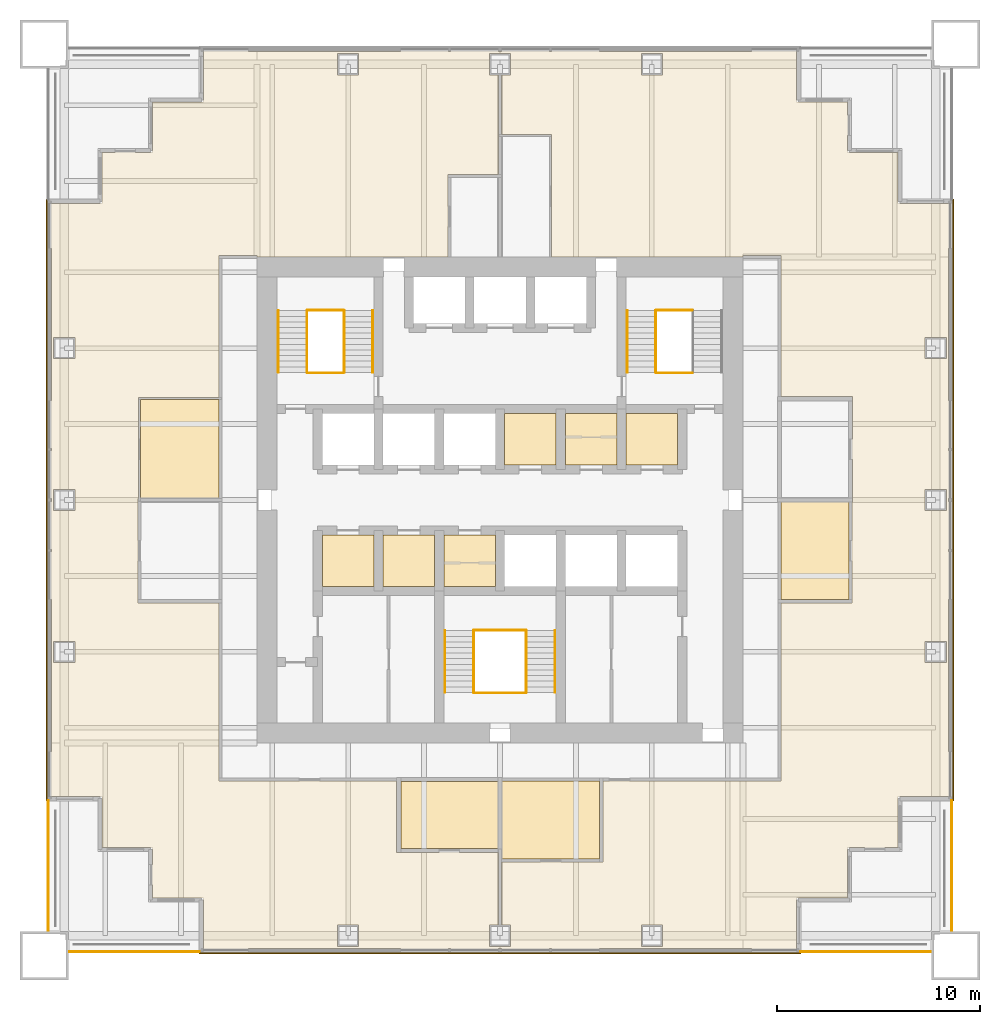
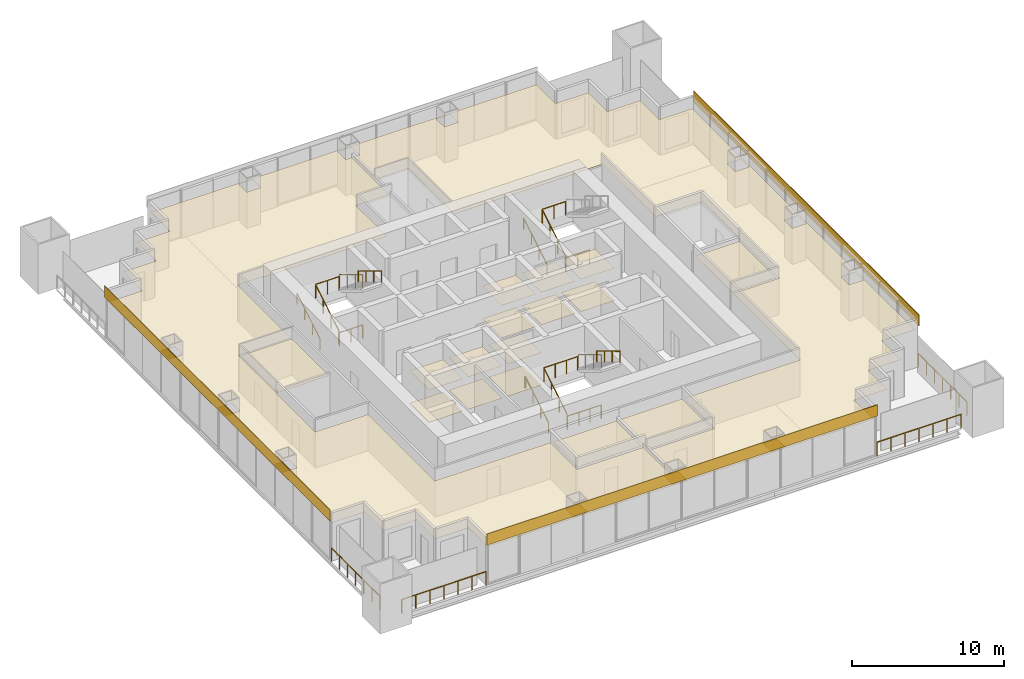
# One storey, part 12 of 13: 21 coverings, 20 railings.
"""IFC4 building model written with IfcOpenShell, lengths in metres."""

from ifc_helpers import new_model, si_unit, direction, frame, origin, origin_2d, place, context, subcontext, project, spatial, polyline, rectangle, circle, outline, extrude, material, layer, layer_set, type_object, element, save


model = new_model("IFC4")

# Units and contexts
model_context = context("Model", 3, precision=1e-05, world=origin(), true_north=direction((0.0, 1.0)))
body_context = subcontext(model_context, "Body", "Model", "MODEL_VIEW")
ifc_project = project(units=[si_unit("LENGTHUNIT", "METRE"), si_unit("AREAUNIT", "SQUARE_METRE"), si_unit("VOLUMEUNIT", "CUBIC_METRE"), si_unit("PLANEANGLEUNIT", "RADIAN"), si_unit("MASSUNIT", "GRAM", prefix="KILO")], contexts=[model_context])

# Site, building, storey
site_placement = place(None, origin())
site = spatial("IfcSite", under=ifc_project, at=site_placement, CompositionType="ELEMENT")
building_placement = place(site_placement, origin())
building = spatial("IfcBuilding", under=site, at=building_placement, Name="Tarangal Relay Tower", CompositionType="ELEMENT")
storey_placement = place(building_placement, frame((0.0, 0.0, 225.89990234375)))
storey = spatial("IfcBuildingStorey", under=building, at=storey_placement, Name="L48", CompositionType="ELEMENT", Elevation=225.89990234375)

# Coverings
ifc_material_1 = material(Name="Anti-static vinyl flooring", Category="plastic")
ifc_layer_1 = layer(ifc_material_1, 0.010009765625)
ifc_layer_set_1 = layer_set([ifc_layer_1], Name="Anti-static vinyl floor")
covering_type_1 = type_object("IfcCoveringType", Name="Anti-static vinyl floor", PredefinedType="FLOORING", material=ifc_layer_set_1)
covering_1_placement = place(storey_placement, origin())
element("IfcCovering", 1, at=covering_1_placement, inside=storey, type_object=covering_type_1, Name="Floor finish FL1 L48-T1", PredefinedType="FLOORING", context=body_context, shape_type="SweptSolid", body=[
    extrude(outline(polyline([(0.22509765625, 1.72509765625), (2.77490234375, 1.72509765625), (2.77490234375, 4.27490234375), (0.22509765625, 4.27490234375), (0.22509765625, 1.72509765625)])), origin(), (0.0, 0.0, 1.0), 0.010009765625),
])
covering_2_placement = place(storey_placement, origin())
element("IfcCovering", 2, at=covering_2_placement, inside=storey, type_object=covering_type_1, Name="Floor finish FL1 L48-T2", PredefinedType="FLOORING", context=body_context, shape_type="SweptSolid", body=[
    extrude(outline(polyline([(3.22509765625, 1.72509765625), (5.77490234375, 1.72509765625), (5.77490234375, 4.27490234375), (3.22509765625, 4.27490234375), (3.22509765625, 1.72509765625)])), origin(), (0.0, 0.0, 1.0), 0.010009765625),
])
covering_3_placement = place(storey_placement, origin())
element("IfcCovering", 3, at=covering_3_placement, inside=storey, type_object=covering_type_1, Name="Floor finish FL1 L48-T3", PredefinedType="FLOORING", context=body_context, shape_type="SweptSolid", body=[
    extrude(outline(polyline([(6.22509765625, 1.72509765625), (8.77490234375, 1.72509765625), (8.77490234375, 4.27490234375), (6.22509765625, 4.27490234375), (6.22509765625, 1.72509765625)])), origin(), (0.0, 0.0, 1.0), 0.010009765625),
])
covering_4_placement = place(storey_placement, origin())
element("IfcCovering", 4, at=covering_4_placement, inside=storey, type_object=covering_type_1, Name="Floor finish FL1 L48-S1", PredefinedType="FLOORING", context=body_context, shape_type="SweptSolid", body=[
    extrude(outline(polyline([(-8.77490234375, -4.27490234375), (-6.22509765625, -4.27490234375), (-6.22509765625, -1.72509765625), (-8.77490234375, -1.72509765625), (-8.77490234375, -4.27490234375)])), origin(), (0.0, 0.0, 1.0), 0.010009765625),
])
covering_5_placement = place(storey_placement, origin())
element("IfcCovering", 5, at=covering_5_placement, inside=storey, type_object=covering_type_1, Name="Floor finish FL1 L48-S2", PredefinedType="FLOORING", context=body_context, shape_type="SweptSolid", body=[
    extrude(outline(polyline([(-5.77490234375, -4.27490234375), (-3.22509765625, -4.27490234375), (-3.22509765625, -1.72509765625), (-5.77490234375, -1.72509765625), (-5.77490234375, -4.27490234375)])), origin(), (0.0, 0.0, 1.0), 0.010009765625),
])
covering_6_placement = place(storey_placement, origin())
element("IfcCovering", 6, at=covering_6_placement, inside=storey, type_object=covering_type_1, Name="Floor finish FL1 L48-S3", PredefinedType="FLOORING", context=body_context, shape_type="SweptSolid", body=[
    extrude(outline(polyline([(-2.77490234375, -4.27490234375), (-0.22509765625, -4.27490234375), (-0.22509765625, -1.72509765625), (-2.77490234375, -1.72509765625), (-2.77490234375, -4.27490234375)])), origin(), (0.0, 0.0, 1.0), 0.010009765625),
])
ifc_material_2 = material(Name="Black anodised aluminium cladding", Category="aluminium")
ifc_layer_2 = layer(ifc_material_2, 0.050048828125)
ifc_layer_set_2 = layer_set([ifc_layer_2], Name="Black metal spandrel band")
covering_type_2 = type_object("IfcCoveringType", Name="Black metal spandrel band", PredefinedType="CLADDING", material=ifc_layer_set_2)
for number, where, z_axis, x_axis, name in (
    (7, (22.375, 0.0, 3.250244140625), (0.0, 0.0, 1.0), (0.0, -1.0, 0.0), "Spandrel band SB1 E L48"),
    (8, (0.0, -22.375, 3.250244140625), (0.0, 0.0, 1.0), (-1.0, 0.0, 0.0), "Spandrel band SB1 S L48"),
    (9, (-22.375, 0.0, 3.250244140625), (0.0, 0.0, 1.0), (0.0, 1.0, 0.0), "Spandrel band SB1 W L48"),
):
    element("IfcCovering", number, at=place(storey_placement, frame(where, z_axis=z_axis, x_axis=x_axis)), inside=storey, type_object=covering_type_2, Name=name, PredefinedType="CLADDING", context=body_context, shape_type="SweptSolid", body=[
        extrude(rectangle(XDim=29.699951171875, YDim=0.050048828125, at=origin_2d()), origin(), (0.0, 0.0, 1.0), 0.89990234375),
    ])

# Railings
ifc_material_3 = material(Name="Steel guard, black finish", Category="steel")
railing_type_1 = type_object("IfcRailingType", Name="Stair guard 1100", PredefinedType="GUARDRAIL", material=ifc_material_3)
railing_1_placement = place(storey_placement, frame((-9.530029296875, 6.300048828125, 0.166748046875)))
element("IfcRailing", 10, at=railing_1_placement, inside=storey, type_object=railing_type_1, Name="Stair ST-A guard GR1 L48 flight 1", PredefinedType="GUARDRAIL", context=body_context, shape_type="SweptSolid", body=[
    extrude(circle(Radius=0.02392578125, at=origin_2d()), frame((0.0, 0.0, 1.076171875), z_axis=(0.0, 0.85685617095, 0.515555527858), x_axis=(-1.0, 0.0, 0.0)), (0.0, 0.0, 1.0), 3.555908203125),
    extrude(circle(Radius=0.02099609375, at=origin_2d()), origin(), (0.0, 0.0, 1.0), 1.052001953125),
    extrude(circle(Radius=0.02099609375, at=origin_2d()), frame((0.0, 1.015625, 0.611083984375)), (0.0, 0.0, 1.0), 1.052001953125),
    extrude(circle(Radius=0.02099609375, at=origin_2d()), frame((0.0, 2.03125, 1.22216796875)), (0.0, 0.0, 1.0), 1.052001953125),
    extrude(circle(Radius=0.02099609375, at=origin_2d()), frame((0.0, 3.046875, 1.833251953125)), (0.0, 0.0, 1.0), 1.052001953125),
])
railing_2_placement = place(storey_placement, frame((-7.695068359375, 9.346923828125, 2.166748046875)))
element("IfcRailing", 11, at=railing_2_placement, inside=storey, type_object=railing_type_1, Name="Stair ST-A guard GR1 L48 flight 2", PredefinedType="GUARDRAIL", context=body_context, shape_type="SweptSolid", body=[
    extrude(circle(Radius=0.02392578125, at=origin_2d()), frame((0.0, 0.0, 1.076171875), z_axis=(0.0, -0.85685617095, 0.515555527858), x_axis=(1.0, 0.0, 0.0)), (0.0, 0.0, 1.0), 3.555908203125),
    extrude(circle(Radius=0.02099609375, at=origin_2d()), origin(), (0.0, 0.0, 1.0), 1.052001953125),
    extrude(circle(Radius=0.02099609375, at=origin_2d()), frame((0.0, -1.015625, 0.611083984375)), (0.0, 0.0, 1.0), 1.052001953125),
    extrude(circle(Radius=0.02099609375, at=origin_2d()), frame((0.0, -2.03125, 1.22216796875)), (0.0, 0.0, 1.0), 1.052001953125),
    extrude(circle(Radius=0.02099609375, at=origin_2d()), frame((0.0, -3.046875, 1.833251953125)), (0.0, 0.0, 1.0), 1.052001953125),
])
for number, where, name in (
    (12, (-9.5, 6.27001953125, 0.0), "Stair ST-A landing guard GR1 L48"),
    (13, (-9.5, 9.376953125, 2.0), "Stair ST-A landing guard GR1 L48"),
):
    element("IfcRailing", number, at=place(storey_placement, frame(where)), inside=storey, type_object=railing_type_1, Name=name, PredefinedType="GUARDRAIL", context=body_context, shape_type="SweptSolid", body=[
        extrude(circle(Radius=0.02392578125, at=origin_2d()), frame((0.0, 0.0, 1.076171875), z_axis=(1.0, 0.0, 0.0), x_axis=(0.0, 1.0, 0.0)), (0.0, 0.0, 1.0), 1.77490234375),
        extrude(circle(Radius=0.02099609375, at=origin_2d()), origin(), (0.0, 0.0, 1.0), 1.052001953125),
        extrude(circle(Radius=0.02099609375, at=origin_2d()), frame((0.887451171875, 0.0, 0.0)), (0.0, 0.0, 1.0), 1.052001953125),
        extrude(circle(Radius=0.02099609375, at=origin_2d()), frame((1.77490234375, 0.0, 0.0)), (0.0, 0.0, 1.0), 1.052001953125),
    ])
railing_3_placement = place(storey_placement, frame((7.695068359375, 6.300048828125, 0.166748046875)))
element("IfcRailing", 14, at=railing_3_placement, inside=storey, type_object=railing_type_1, Name="Stair ST-B guard GR1 L48 flight 1", PredefinedType="GUARDRAIL", context=body_context, shape_type="SweptSolid", body=[
    extrude(circle(Radius=0.02392578125, at=origin_2d()), frame((0.0, 0.0, 1.076171875), z_axis=(0.0, 0.85685617095, 0.515555527858), x_axis=(-1.0, 0.0, 0.0)), (0.0, 0.0, 1.0), 3.555908203125),
    extrude(circle(Radius=0.02099609375, at=origin_2d()), origin(), (0.0, 0.0, 1.0), 1.052001953125),
    extrude(circle(Radius=0.02099609375, at=origin_2d()), frame((0.0, 1.015625, 0.611083984375)), (0.0, 0.0, 1.0), 1.052001953125),
    extrude(circle(Radius=0.02099609375, at=origin_2d()), frame((0.0, 2.03125, 1.22216796875)), (0.0, 0.0, 1.0), 1.052001953125),
    extrude(circle(Radius=0.02099609375, at=origin_2d()), frame((0.0, 3.046875, 1.833251953125)), (0.0, 0.0, 1.0), 1.052001953125),
])
for number, where, name in (
    (15, (7.72509765625, 6.27001953125, 0.0), "Stair ST-B landing guard GR1 L48"),
    (16, (7.72509765625, 9.376953125, 2.0), "Stair ST-B landing guard GR1 L48"),
):
    element("IfcRailing", number, at=place(storey_placement, frame(where)), inside=storey, type_object=railing_type_1, Name=name, PredefinedType="GUARDRAIL", context=body_context, shape_type="SweptSolid", body=[
        extrude(circle(Radius=0.02392578125, at=origin_2d()), frame((0.0, 0.0, 1.076171875), z_axis=(1.0, 0.0, 0.0), x_axis=(0.0, 1.0, 0.0)), (0.0, 0.0, 1.0), 1.77490234375),
        extrude(circle(Radius=0.02099609375, at=origin_2d()), origin(), (0.0, 0.0, 1.0), 1.052001953125),
        extrude(circle(Radius=0.02099609375, at=origin_2d()), frame((0.887451171875, 0.0, 0.0)), (0.0, 0.0, 1.0), 1.052001953125),
        extrude(circle(Radius=0.02099609375, at=origin_2d()), frame((1.77490234375, 0.0, 0.0)), (0.0, 0.0, 1.0), 1.052001953125),
    ])
railing_4_placement = place(storey_placement, frame((-1.304931640625, -9.5, 0.166748046875)))
element("IfcRailing", 17, at=railing_4_placement, inside=storey, type_object=railing_type_1, Name="Stair ST-C guard GR1 L48 flight 1", PredefinedType="GUARDRAIL", context=body_context, shape_type="SweptSolid", body=[
    extrude(circle(Radius=0.02392578125, at=origin_2d()), frame((0.0, 0.0, 1.076171875), z_axis=(0.0, 0.856874418557, 0.515525199018), x_axis=(-1.0, 0.0, 0.0)), (0.0, 0.0, 1.0), 3.55615234375),
    extrude(circle(Radius=0.02099609375, at=origin_2d()), origin(), (0.0, 0.0, 1.0), 1.052001953125),
    extrude(circle(Radius=0.02099609375, at=origin_2d()), frame((0.0, 1.015625, 0.611083984375)), (0.0, 0.0, 1.0), 1.052001953125),
    extrude(circle(Radius=0.02099609375, at=origin_2d()), frame((0.0, 2.031494140625, 1.22216796875)), (0.0, 0.0, 1.0), 1.052001953125),
    extrude(circle(Radius=0.02099609375, at=origin_2d()), frame((0.0, 3.047119140625, 1.833251953125)), (0.0, 0.0, 1.0), 1.052001953125),
])
railing_5_placement = place(storey_placement, frame((1.304931640625, -6.452880859375, 2.166748046875)))
element("IfcRailing", 18, at=railing_5_placement, inside=storey, type_object=railing_type_1, Name="Stair ST-C guard GR1 L48 flight 2", PredefinedType="GUARDRAIL", context=body_context, shape_type="SweptSolid", body=[
    extrude(circle(Radius=0.02392578125, at=origin_2d()), frame((0.0, 0.0, 1.076171875), z_axis=(0.0, -0.856874418557, 0.515525199018), x_axis=(1.0, 0.0, 0.0)), (0.0, 0.0, 1.0), 3.55615234375),
    extrude(circle(Radius=0.02099609375, at=origin_2d()), origin(), (0.0, 0.0, 1.0), 1.052001953125),
    extrude(circle(Radius=0.02099609375, at=origin_2d()), frame((0.0, -1.015625, 0.611083984375)), (0.0, 0.0, 1.0), 1.052001953125),
    extrude(circle(Radius=0.02099609375, at=origin_2d()), frame((0.0, -2.031494140625, 1.22216796875)), (0.0, 0.0, 1.0), 1.052001953125),
    extrude(circle(Radius=0.02099609375, at=origin_2d()), frame((0.0, -3.047119140625, 1.833251953125)), (0.0, 0.0, 1.0), 1.052001953125),
])
for number, where, name in (
    (19, (-1.27490234375, -9.530029296875, 0.0), "Stair ST-C landing guard GR1 L48"),
    (20, (-1.27490234375, -6.423095703125, 2.0), "Stair ST-C landing guard GR1 L48"),
):
    element("IfcRailing", number, at=place(storey_placement, frame(where)), inside=storey, type_object=railing_type_1, Name=name, PredefinedType="GUARDRAIL", context=body_context, shape_type="SweptSolid", body=[
        extrude(circle(Radius=0.02392578125, at=origin_2d()), frame((0.0, 0.0, 1.076171875), z_axis=(1.0, 0.0, 0.0), x_axis=(0.0, 1.0, 0.0)), (0.0, 0.0, 1.0), 2.5498046875),
        extrude(circle(Radius=0.02099609375, at=origin_2d()), origin(), (0.0, 0.0, 1.0), 1.052001953125),
        extrude(circle(Radius=0.02099609375, at=origin_2d()), frame((0.849853515625, 0.0, 0.0)), (0.0, 0.0, 1.0), 1.052001953125),
        extrude(circle(Radius=0.02099609375, at=origin_2d()), frame((1.699951171875, 0.0, 0.0)), (0.0, 0.0, 1.0), 1.052001953125),
        extrude(circle(Radius=0.02099609375, at=origin_2d()), frame((2.5498046875, 0.0, 0.0)), (0.0, 0.0, 1.0), 1.052001953125),
    ])
ifc_material_4 = material(Name="Steel handrail, black finish", Category="steel")
railing_type_2 = type_object("IfcRailingType", Name="Stair handrail 900", PredefinedType="HANDRAIL", material=ifc_material_4)
railing_6_placement = place(storey_placement, frame((-10.93994140625, 6.300048828125, 0.166748046875)))
element("IfcRailing", 21, at=railing_6_placement, inside=storey, type_object=railing_type_2, Name="Stair ST-A handrail HR1 L48 flight 1", PredefinedType="HANDRAIL", context=body_context, shape_type="SweptSolid", body=[
    extrude(circle(Radius=0.02392578125, at=origin_2d()), frame((0.0, 0.0, 0.8759765625), z_axis=(0.0, 0.85685617095, 0.515555527858), x_axis=(-1.0, 0.0, 0.0)), (0.0, 0.0, 1.0), 3.555908203125),
    extrude(circle(Radius=0.02099609375, at=origin_2d()), origin(), (0.0, 0.0, 1.0), 0.851806640625),
    extrude(circle(Radius=0.02099609375, at=origin_2d()), frame((0.0, 1.015625, 0.611083984375)), (0.0, 0.0, 1.0), 0.851806640625),
    extrude(circle(Radius=0.02099609375, at=origin_2d()), frame((0.0, 2.03125, 1.22216796875)), (0.0, 0.0, 1.0), 0.851806640625),
    extrude(circle(Radius=0.02099609375, at=origin_2d()), frame((0.0, 3.046875, 1.833251953125)), (0.0, 0.0, 1.0), 0.851806640625),
])
railing_7_placement = place(storey_placement, frame((-6.284912109375, 9.346923828125, 2.166748046875)))
element("IfcRailing", 22, at=railing_7_placement, inside=storey, type_object=railing_type_2, Name="Stair ST-A handrail HR1 L48 flight 2", PredefinedType="HANDRAIL", context=body_context, shape_type="SweptSolid", body=[
    extrude(circle(Radius=0.02392578125, at=origin_2d()), frame((0.0, 0.0, 0.8759765625), z_axis=(0.0, -0.85685617095, 0.515555527858), x_axis=(1.0, 0.0, 0.0)), (0.0, 0.0, 1.0), 3.555908203125),
    extrude(circle(Radius=0.02099609375, at=origin_2d()), origin(), (0.0, 0.0, 1.0), 0.851806640625),
    extrude(circle(Radius=0.02099609375, at=origin_2d()), frame((0.0, -1.015625, 0.611083984375)), (0.0, 0.0, 1.0), 0.851806640625),
    extrude(circle(Radius=0.02099609375, at=origin_2d()), frame((0.0, -2.03125, 1.22216796875)), (0.0, 0.0, 1.0), 0.851806640625),
    extrude(circle(Radius=0.02099609375, at=origin_2d()), frame((0.0, -3.046875, 1.833251953125)), (0.0, 0.0, 1.0), 0.851806640625),
])
railing_8_placement = place(storey_placement, frame((6.284912109375, 6.300048828125, 0.166748046875)))
element("IfcRailing", 23, at=railing_8_placement, inside=storey, type_object=railing_type_2, Name="Stair ST-B handrail HR1 L48 flight 1", PredefinedType="HANDRAIL", context=body_context, shape_type="SweptSolid", body=[
    extrude(circle(Radius=0.02392578125, at=origin_2d()), frame((0.0, 0.0, 0.8759765625), z_axis=(0.0, 0.85685617095, 0.515555527858), x_axis=(-1.0, 0.0, 0.0)), (0.0, 0.0, 1.0), 3.555908203125),
    extrude(circle(Radius=0.02099609375, at=origin_2d()), origin(), (0.0, 0.0, 1.0), 0.851806640625),
    extrude(circle(Radius=0.02099609375, at=origin_2d()), frame((0.0, 1.015625, 0.611083984375)), (0.0, 0.0, 1.0), 0.851806640625),
    extrude(circle(Radius=0.02099609375, at=origin_2d()), frame((0.0, 2.03125, 1.22216796875)), (0.0, 0.0, 1.0), 0.851806640625),
    extrude(circle(Radius=0.02099609375, at=origin_2d()), frame((0.0, 3.046875, 1.833251953125)), (0.0, 0.0, 1.0), 0.851806640625),
])
railing_9_placement = place(storey_placement, frame((-2.715087890625, -9.5, 0.166748046875)))
element("IfcRailing", 24, at=railing_9_placement, inside=storey, type_object=railing_type_2, Name="Stair ST-C handrail HR1 L48 flight 1", PredefinedType="HANDRAIL", context=body_context, shape_type="SweptSolid", body=[
    extrude(circle(Radius=0.02392578125, at=origin_2d()), frame((0.0, 0.0, 0.8759765625), z_axis=(0.0, 0.856874418557, 0.515525199018), x_axis=(-1.0, 0.0, 0.0)), (0.0, 0.0, 1.0), 3.55615234375),
    extrude(circle(Radius=0.02099609375, at=origin_2d()), origin(), (0.0, 0.0, 1.0), 0.851806640625),
    extrude(circle(Radius=0.02099609375, at=origin_2d()), frame((0.0, 1.015625, 0.611083984375)), (0.0, 0.0, 1.0), 0.851806640625),
    extrude(circle(Radius=0.02099609375, at=origin_2d()), frame((0.0, 2.031494140625, 1.22216796875)), (0.0, 0.0, 1.0), 0.851806640625),
    extrude(circle(Radius=0.02099609375, at=origin_2d()), frame((0.0, 3.047119140625, 1.833251953125)), (0.0, 0.0, 1.0), 0.851806640625),
])
railing_10_placement = place(storey_placement, frame((2.715087890625, -6.452880859375, 2.166748046875)))
element("IfcRailing", 25, at=railing_10_placement, inside=storey, type_object=railing_type_2, Name="Stair ST-C handrail HR1 L48 flight 2", PredefinedType="HANDRAIL", context=body_context, shape_type="SweptSolid", body=[
    extrude(circle(Radius=0.02392578125, at=origin_2d()), frame((0.0, 0.0, 0.8759765625), z_axis=(0.0, -0.856874418557, 0.515525199018), x_axis=(1.0, 0.0, 0.0)), (0.0, 0.0, 1.0), 3.55615234375),
    extrude(circle(Radius=0.02099609375, at=origin_2d()), origin(), (0.0, 0.0, 1.0), 0.851806640625),
    extrude(circle(Radius=0.02099609375, at=origin_2d()), frame((0.0, -1.015625, 0.611083984375)), (0.0, 0.0, 1.0), 0.851806640625),
    extrude(circle(Radius=0.02099609375, at=origin_2d()), frame((0.0, -2.031494140625, 1.22216796875)), (0.0, 0.0, 1.0), 0.851806640625),
    extrude(circle(Radius=0.02099609375, at=origin_2d()), frame((0.0, -3.047119140625, 1.833251953125)), (0.0, 0.0, 1.0), 0.851806640625),
])

# Coverings
ifc_material_5 = material(Name="Mineral fibre ceiling tiles", Category="gypsum")
ifc_layer_3 = layer(ifc_material_5, 0.02001953125)
ifc_layer_set_3 = layer_set([ifc_layer_3], Name="Suspended ceiling")
covering_type_3 = type_object("IfcCoveringType", Name="Suspended ceiling", PredefinedType="CEILING", material=ifc_layer_set_3)
covering_7_placement = place(storey_placement, frame((0.0, 0.0, 2.60009765625)))
element("IfcCovering", 26, at=covering_7_placement, inside=storey, type_object=covering_type_3, Name="Suspended ceiling CL1 L48-T1", PredefinedType="CEILING", context=body_context, shape_type="SweptSolid", body=[
    extrude(outline(polyline([(0.22509765625, 1.72509765625), (2.77490234375, 1.72509765625), (2.77490234375, 4.27490234375), (0.22509765625, 4.27490234375), (0.22509765625, 1.72509765625)])), origin(), (0.0, 0.0, 1.0), 0.02001953125),
])
covering_8_placement = place(storey_placement, frame((0.0, 0.0, 2.60009765625)))
element("IfcCovering", 27, at=covering_8_placement, inside=storey, type_object=covering_type_3, Name="Suspended ceiling CL1 L48-T2", PredefinedType="CEILING", context=body_context, shape_type="SweptSolid", body=[
    extrude(outline(polyline([(3.22509765625, 1.72509765625), (5.77490234375, 1.72509765625), (5.77490234375, 4.27490234375), (3.22509765625, 4.27490234375), (3.22509765625, 1.72509765625)])), origin(), (0.0, 0.0, 1.0), 0.02001953125),
])
covering_9_placement = place(storey_placement, frame((0.0, 0.0, 2.60009765625)))
element("IfcCovering", 28, at=covering_9_placement, inside=storey, type_object=covering_type_3, Name="Suspended ceiling CL1 L48-T3", PredefinedType="CEILING", context=body_context, shape_type="SweptSolid", body=[
    extrude(outline(polyline([(6.22509765625, 1.72509765625), (8.77490234375, 1.72509765625), (8.77490234375, 4.27490234375), (6.22509765625, 4.27490234375), (6.22509765625, 1.72509765625)])), origin(), (0.0, 0.0, 1.0), 0.02001953125),
])
covering_10_placement = place(storey_placement, frame((0.0, 0.0, 2.60009765625)))
element("IfcCovering", 29, at=covering_10_placement, inside=storey, type_object=covering_type_3, Name="Suspended ceiling CL1 L48-S1", PredefinedType="CEILING", context=body_context, shape_type="SweptSolid", body=[
    extrude(outline(polyline([(-8.77490234375, -4.27490234375), (-6.22509765625, -4.27490234375), (-6.22509765625, -1.72509765625), (-8.77490234375, -1.72509765625), (-8.77490234375, -4.27490234375)])), origin(), (0.0, 0.0, 1.0), 0.02001953125),
])
covering_11_placement = place(storey_placement, frame((0.0, 0.0, 2.60009765625)))
element("IfcCovering", 30, at=covering_11_placement, inside=storey, type_object=covering_type_3, Name="Suspended ceiling CL1 L48-S2", PredefinedType="CEILING", context=body_context, shape_type="SweptSolid", body=[
    extrude(outline(polyline([(-5.77490234375, -4.27490234375), (-3.22509765625, -4.27490234375), (-3.22509765625, -1.72509765625), (-5.77490234375, -1.72509765625), (-5.77490234375, -4.27490234375)])), origin(), (0.0, 0.0, 1.0), 0.02001953125),
])
covering_12_placement = place(storey_placement, frame((0.0, 0.0, 2.60009765625)))
element("IfcCovering", 31, at=covering_12_placement, inside=storey, type_object=covering_type_3, Name="Suspended ceiling CL1 L48-S3", PredefinedType="CEILING", context=body_context, shape_type="SweptSolid", body=[
    extrude(outline(polyline([(-2.77490234375, -4.27490234375), (-0.22509765625, -4.27490234375), (-0.22509765625, -1.72509765625), (-2.77490234375, -1.72509765625), (-2.77490234375, -4.27490234375)])), origin(), (0.0, 0.0, 1.0), 0.02001953125),
])
covering_13_placement = place(storey_placement, frame((0.0, 0.0, 2.900146484375)))
element("IfcCovering", 32, at=covering_13_placement, inside=storey, type_object=covering_type_3, Name="Suspended ceiling CL1 L48-05", PredefinedType="CEILING", context=body_context, shape_type="SweptSolid", body=[
    extrude(outline(polyline([(17.22509765625, -4.925048828125), (17.22509765625, -0.10009765625), (13.875, -0.10009765625), (13.875, -4.925048828125), (17.22509765625, -4.925048828125)])), origin(), (0.0, 0.0, 1.0), 0.02001953125),
])
covering_14_placement = place(storey_placement, frame((0.0, 0.0, 2.900146484375)))
element("IfcCovering", 33, at=covering_14_placement, inside=storey, type_object=covering_type_3, Name="Suspended ceiling CL1 L48-06", PredefinedType="CEILING", context=body_context, shape_type="SweptSolid", body=[
    extrude(outline(polyline([(0.074951171875, -17.39990234375), (0.074951171875, -17.72509765625), (4.925048828125, -17.72509765625), (4.925048828125, -13.875), (0.10009765625, -13.875), (0.10009765625, -17.39990234375), (0.074951171875, -17.39990234375)])), origin(), (0.0, 0.0, 1.0), 0.02001953125),
])
covering_15_placement = place(storey_placement, frame((0.0, 0.0, 2.900146484375)))
element("IfcCovering", 34, at=covering_15_placement, inside=storey, type_object=covering_type_3, Name="Suspended ceiling CL1 L48-07", PredefinedType="CEILING", context=body_context, shape_type="SweptSolid", body=[
    extrude(outline(polyline([(-4.89990234375, -13.89990234375), (-4.89990234375, -17.199951171875), (-0.10009765625, -17.199951171875), (-0.10009765625, -13.89990234375), (-4.89990234375, -13.89990234375)])), origin(), (0.0, 0.0, 1.0), 0.02001953125),
])
covering_16_placement = place(storey_placement, frame((0.0, 0.0, 2.900146484375)))
element("IfcCovering", 35, at=covering_16_placement, inside=storey, type_object=covering_type_3, Name="Suspended ceiling CL1 L48-09", PredefinedType="CEILING", context=body_context, shape_type="SweptSolid", body=[
    extrude(outline(polyline([(-13.875, 4.949951171875), (-17.75, 4.949951171875), (-17.75, 0.074951171875), (-13.875, 0.074951171875), (-13.875, 4.949951171875)])), origin(), (0.0, 0.0, 1.0), 0.02001953125),
])
covering_17_placement = place(storey_placement, frame((0.0, 0.0, 2.900146484375)))
element("IfcCovering", 36, at=covering_17_placement, inside=storey, type_object=covering_type_3, Name="Suspended ceiling CL1 L48-10", PredefinedType="CEILING", context=body_context, shape_type="SweptSolid", body=[
    extrude(outline(polyline([(-2.574951171875, 16.074951171875), (-0.074951171875, 16.074951171875), (-0.074951171875, 20.989990234375), (-0.52490234375, 20.989990234375), (-0.52490234375, 22.0400390625), (0.0, 22.0400390625), (0.0, 22.14990234375), (-14.64990234375, 22.14990234375), (-14.64990234375, 19.64990234375), (-17.14990234375, 19.64990234375), (-17.14990234375, 17.14990234375), (-19.64990234375, 17.14990234375), (-19.64990234375, 14.64990234375), (-22.14990234375, 14.64990234375), (-22.14990234375, -14.64990234375), (-19.64990234375, -14.64990234375), (-19.64990234375, -17.14990234375), (-17.14990234375, -17.14990234375), (-17.14990234375, -19.64990234375), (-14.64990234375, -19.64990234375), (-14.64990234375, -22.14990234375), (0.0, -22.14990234375), (0.0, -22.0400390625), (-0.52490234375, -22.0400390625), (-0.52490234375, -20.989990234375), (-0.074951171875, -20.989990234375), (-0.074951171875, -17.39990234375), (-5.10009765625, -17.39990234375), (-5.10009765625, -13.875), (-13.875, -13.875), (-13.875, -5.074951171875), (-17.875, -5.074951171875), (-17.875, 0.074951171875), (-17.85009765625, 0.074951171875), (-17.85009765625, 5.050048828125), (-13.875, 5.050048828125), (-13.875, 12.074951171875), (-12.0, 12.074951171875), (-12.0, 12.0), (-2.574951171875, 12.0), (-2.574951171875, 16.074951171875)]), holes=[polyline([(-8.02490234375, -22.0400390625), (-6.97509765625, -22.0400390625), (-6.97509765625, -20.989990234375), (-8.02490234375, -20.989990234375), (-8.02490234375, -22.0400390625)]), polyline([(-22.0400390625, -6.97509765625), (-22.0400390625, -8.02490234375), (-20.989990234375, -8.02490234375), (-20.989990234375, -6.97509765625), (-22.0400390625, -6.97509765625)]), polyline([(-22.0400390625, 0.52490234375), (-22.0400390625, -0.52490234375), (-20.989990234375, -0.52490234375), (-20.989990234375, 0.52490234375), (-22.0400390625, 0.52490234375)]), polyline([(-22.0400390625, 8.02490234375), (-22.0400390625, 6.97509765625), (-20.989990234375, 6.97509765625), (-20.989990234375, 8.02490234375), (-22.0400390625, 8.02490234375)]), polyline([(-8.02490234375, 22.0400390625), (-8.02490234375, 20.989990234375), (-6.97509765625, 20.989990234375), (-6.97509765625, 22.0400390625), (-8.02490234375, 22.0400390625)])]), origin(), (0.0, 0.0, 1.0), 0.02001953125),
])
covering_18_placement = place(storey_placement, frame((0.0, 0.0, 2.900146484375)))
element("IfcCovering", 37, at=covering_18_placement, inside=storey, type_object=covering_type_3, Name="Suspended ceiling CL1 L48-11", PredefinedType="CEILING", context=body_context, shape_type="SweptSolid", body=[
    extrude(outline(polyline([(12.0, 12.074951171875), (13.875, 12.074951171875), (13.875, 5.10009765625), (17.39990234375, 5.10009765625), (17.39990234375, -0.10009765625), (17.375, -0.10009765625), (17.375, -5.074951171875), (13.875, -5.074951171875), (13.875, -13.875), (5.074951171875, -13.875), (5.074951171875, -17.875), (0.074951171875, -17.875), (0.074951171875, -20.989990234375), (0.52490234375, -20.989990234375), (0.52490234375, -22.0400390625), (0.0, -22.0400390625), (0.0, -22.14990234375), (14.64990234375, -22.14990234375), (14.64990234375, -19.64990234375), (17.14990234375, -19.64990234375), (17.14990234375, -17.14990234375), (19.64990234375, -17.14990234375), (19.64990234375, -14.64990234375), (22.14990234375, -14.64990234375), (22.14990234375, 14.64990234375), (19.64990234375, 14.64990234375), (19.64990234375, 17.14990234375), (17.14990234375, 17.14990234375), (17.14990234375, 19.64990234375), (14.64990234375, 19.64990234375), (14.64990234375, 22.14990234375), (0.0, 22.14990234375), (0.0, 22.0400390625), (0.52490234375, 22.0400390625), (0.52490234375, 20.989990234375), (0.074951171875, 20.989990234375), (0.074951171875, 18.050048828125), (2.550048828125, 18.050048828125), (2.550048828125, 12.0), (12.0, 12.0), (12.0, 12.074951171875)]), holes=[polyline([(6.97509765625, -20.989990234375), (6.97509765625, -22.0400390625), (8.02490234375, -22.0400390625), (8.02490234375, -20.989990234375), (6.97509765625, -20.989990234375)]), polyline([(20.989990234375, -6.97509765625), (20.989990234375, -8.02490234375), (22.0400390625, -8.02490234375), (22.0400390625, -6.97509765625), (20.989990234375, -6.97509765625)]), polyline([(20.989990234375, 0.52490234375), (20.989990234375, -0.52490234375), (22.0400390625, -0.52490234375), (22.0400390625, 0.52490234375), (20.989990234375, 0.52490234375)]), polyline([(20.989990234375, 8.02490234375), (20.989990234375, 6.97509765625), (22.0400390625, 6.97509765625), (22.0400390625, 8.02490234375), (20.989990234375, 8.02490234375)]), polyline([(6.97509765625, 22.0400390625), (6.97509765625, 20.989990234375), (8.02490234375, 20.989990234375), (8.02490234375, 22.0400390625), (6.97509765625, 22.0400390625)])]), origin(), (0.0, 0.0, 1.0), 0.02001953125),
])

# Railings
ifc_material_6 = material(Name="Black steel guard with glass infill", Category="steel")
railing_type_3 = type_object("IfcRailingType", Name="Terrace guard 1100", PredefinedType="GUARDRAIL", material=ifc_material_6)
railing_11_placement = place(storey_placement, frame((22.300048828125, -14.85009765625, 0.0)))
element("IfcRailing", 38, at=railing_11_placement, inside=storey, type_object=railing_type_3, Name="Terrace guard GR2 SE L48", PredefinedType="GUARDRAIL", context=body_context, shape_type="SweptSolid", body=[
    extrude(circle(Radius=0.02392578125, at=origin_2d()), frame((0.0, 0.0, 1.076171875), z_axis=(0.0, -1.0, 0.0), x_axis=(1.0, 0.0, 0.0)), (0.0, 0.0, 1.0), 6.39990234375),
    extrude(circle(Radius=0.02099609375, at=origin_2d()), origin(), (0.0, 0.0, 1.0), 1.052001953125),
    extrude(circle(Radius=0.02099609375, at=origin_2d()), frame((0.0, -1.066650390625, 0.0)), (0.0, 0.0, 1.0), 1.052001953125),
    extrude(circle(Radius=0.02099609375, at=origin_2d()), frame((0.0, -2.13330078125, 0.0)), (0.0, 0.0, 1.0), 1.052001953125),
    extrude(circle(Radius=0.02099609375, at=origin_2d()), frame((0.0, -3.199951171875, 0.0)), (0.0, 0.0, 1.0), 1.052001953125),
    extrude(circle(Radius=0.02099609375, at=origin_2d()), frame((0.0, -4.2666015625, 0.0)), (0.0, 0.0, 1.0), 1.052001953125),
    extrude(circle(Radius=0.02099609375, at=origin_2d()), frame((0.0, -5.333251953125, 0.0)), (0.0, 0.0, 1.0), 1.052001953125),
    extrude(circle(Radius=0.02099609375, at=origin_2d()), frame((0.0, -6.39990234375, 0.0)), (0.0, 0.0, 1.0), 1.052001953125),
])
for number, where, name in (
    (39, (21.25, -22.300048828125, 0.0), "Terrace guard GR2 SE L48"),
    (40, (-14.85009765625, -22.300048828125, 0.0), "Terrace guard GR2 SW L48"),
):
    element("IfcRailing", number, at=place(storey_placement, frame(where)), inside=storey, type_object=railing_type_3, Name=name, PredefinedType="GUARDRAIL", context=body_context, shape_type="SweptSolid", body=[
        extrude(circle(Radius=0.02392578125, at=origin_2d()), frame((0.0, 0.0, 1.076171875), z_axis=(-1.0, 0.0, 0.0), x_axis=(0.0, -1.0, 0.0)), (0.0, 0.0, 1.0), 6.39990234375),
        extrude(circle(Radius=0.02099609375, at=origin_2d()), origin(), (0.0, 0.0, 1.0), 1.052001953125),
        extrude(circle(Radius=0.02099609375, at=origin_2d()), frame((-1.066650390625, 0.0, 0.0)), (0.0, 0.0, 1.0), 1.052001953125),
        extrude(circle(Radius=0.02099609375, at=origin_2d()), frame((-2.13330078125, 0.0, 0.0)), (0.0, 0.0, 1.0), 1.052001953125),
        extrude(circle(Radius=0.02099609375, at=origin_2d()), frame((-3.199951171875, 0.0, 0.0)), (0.0, 0.0, 1.0), 1.052001953125),
        extrude(circle(Radius=0.02099609375, at=origin_2d()), frame((-4.2666015625, 0.0, 0.0)), (0.0, 0.0, 1.0), 1.052001953125),
        extrude(circle(Radius=0.02099609375, at=origin_2d()), frame((-5.333251953125, 0.0, 0.0)), (0.0, 0.0, 1.0), 1.052001953125),
        extrude(circle(Radius=0.02099609375, at=origin_2d()), frame((-6.39990234375, 0.0, 0.0)), (0.0, 0.0, 1.0), 1.052001953125),
    ])
railing_12_placement = place(storey_placement, frame((-22.300048828125, -21.25, 0.0)))
element("IfcRailing", 41, at=railing_12_placement, inside=storey, type_object=railing_type_3, Name="Terrace guard GR2 SW L48", PredefinedType="GUARDRAIL", context=body_context, shape_type="SweptSolid", body=[
    extrude(circle(Radius=0.02392578125, at=origin_2d()), frame((0.0, 0.0, 1.076171875), z_axis=(0.0, 1.0, 0.0), x_axis=(-1.0, 0.0, 0.0)), (0.0, 0.0, 1.0), 6.39990234375),
    extrude(circle(Radius=0.02099609375, at=origin_2d()), origin(), (0.0, 0.0, 1.0), 1.052001953125),
    extrude(circle(Radius=0.02099609375, at=origin_2d()), frame((0.0, 1.066650390625, 0.0)), (0.0, 0.0, 1.0), 1.052001953125),
    extrude(circle(Radius=0.02099609375, at=origin_2d()), frame((0.0, 2.13330078125, 0.0)), (0.0, 0.0, 1.0), 1.052001953125),
    extrude(circle(Radius=0.02099609375, at=origin_2d()), frame((0.0, 3.199951171875, 0.0)), (0.0, 0.0, 1.0), 1.052001953125),
    extrude(circle(Radius=0.02099609375, at=origin_2d()), frame((0.0, 4.2666015625, 0.0)), (0.0, 0.0, 1.0), 1.052001953125),
    extrude(circle(Radius=0.02099609375, at=origin_2d()), frame((0.0, 5.333251953125, 0.0)), (0.0, 0.0, 1.0), 1.052001953125),
    extrude(circle(Radius=0.02099609375, at=origin_2d()), frame((0.0, 6.39990234375, 0.0)), (0.0, 0.0, 1.0), 1.052001953125),
])

save(model, "model.ifc")
